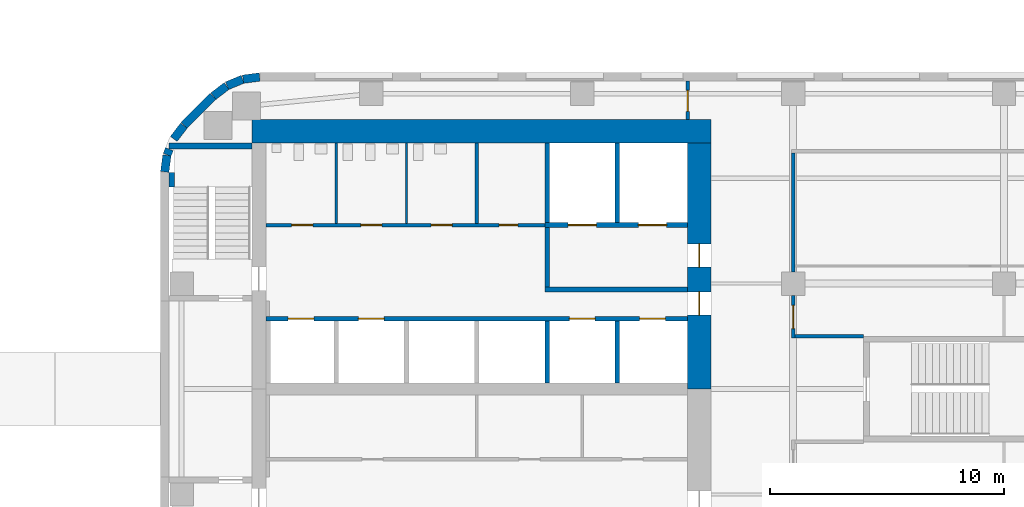
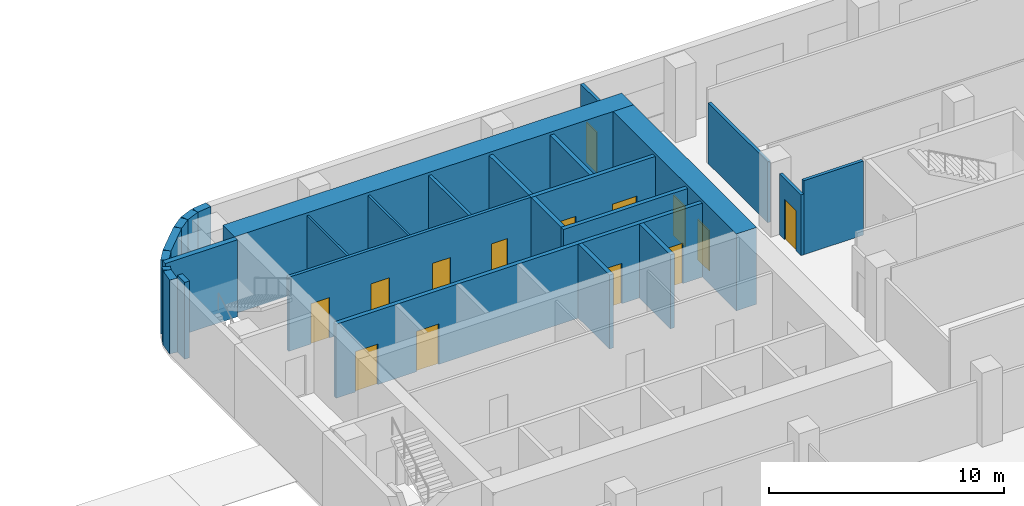
# One storey, part 10 of 15: 27 walls, 14 doors, 14 openings.
"""IFC4 building model written with IfcOpenShell, lengths in metres."""

from ifc_helpers import new_model, si_unit, direction, frame, frame_2d, origin, place, context, subcontext, project, spatial, rectangle, extrude, material, layer, layer_set, type_object, element, fill, save


model = new_model("IFC4")

# Units and contexts
model_context = context("Model", 3, precision=1e-05, world=origin(), true_north=direction((0.0, 1.0)))
body_context = subcontext(model_context, "Body", "Model", "MODEL_VIEW")
ifc_project = project(units=[si_unit("LENGTHUNIT", "METRE"), si_unit("AREAUNIT", "SQUARE_METRE"), si_unit("VOLUMEUNIT", "CUBIC_METRE"), si_unit("PLANEANGLEUNIT", "RADIAN"), si_unit("MASSUNIT", "GRAM", prefix="KILO")], contexts=[model_context])

# Site, building, storey
site_placement = place(None, origin())
site = spatial("IfcSite", under=ifc_project, at=site_placement, CompositionType="ELEMENT")
building_placement = place(site_placement, origin())
building = spatial("IfcBuilding", under=site, at=building_placement, Name="Cinnabar Reach Civic Tower", CompositionType="ELEMENT")
storey_placement = place(building_placement, frame((0.0, 0.0, 75.0)))
storey = spatial("IfcBuildingStorey", under=building, at=storey_placement, Name="L17", CompositionType="ELEMENT", Elevation=75.0)

# Walls
ifc_material_1 = material(Name="Facing brick with insulated backing", Category="masonry")
ifc_layer_1 = layer(ifc_material_1, 0.36)
ifc_layer_set_1 = layer_set([ifc_layer_1], Name="Brick corner wall")
wall_type_1 = type_object("IfcWallType", Name="Brick corner wall", PredefinedType="STANDARD", material=ifc_layer_set_1)
for number, where, z_axis, x_axis, name in (
    (1, (4.2314, 44.817, 0.0), (0.0, 0.0, 1.0), (-0.99144092581, -0.13055608231, 0.0), "Brick corner wall"),
    (2, (3.5027, 44.7181, 0.0), (0.0, 0.0, 1.0), (-0.923871547278, -0.382702709855, 0.0), "Brick corner wall"),
):
    element("IfcWall", number, at=place(storey_placement, frame(where, z_axis=z_axis, x_axis=x_axis)), inside=storey, type_object=wall_type_1, Name=name, PredefinedType="STANDARD", context=body_context, shape_type="SweptSolid", body=[
        extrude(rectangle(XDim=0.7131, YDim=0.36, at=frame_2d((0.3565, 0.0))), origin(), (0.0, 0.0, 1.0), 3.85),
    ])
for number, where, z_axis, x_axis, name in (
    (3, (2.8245, 44.434, 0.0), (0.0, 0.0, 1.0), (-0.793321924995, -0.608802368033, 0.0), "Brick corner wall"),
    (4, (1.0002, 42.7413, 0.0), (0.0, 0.0, 1.0), (-0.608802368033, -0.793321924995, 0.0), "Brick corner wall"),
):
    element("IfcWall", number, at=place(storey_placement, frame(where, z_axis=z_axis, x_axis=x_axis)), inside=storey, type_object=wall_type_1, Name=name, PredefinedType="STANDARD", context=body_context, shape_type="SweptSolid", body=[
        extrude(rectangle(XDim=0.7132, YDim=0.36, at=frame_2d((0.3566, 0.0))), origin(), (0.0, 0.0, 1.0), 3.85),
    ])
wall_1_placement = place(storey_placement, frame((0.3808, 41.736, 0.0), z_axis=(0.0, 0.0, 1.0), x_axis=(-0.382773360986, -0.923842277729, 0.0)))
element("IfcWall", 5, at=wall_1_placement, inside=storey, type_object=wall_type_1, Name="Brick corner wall", PredefinedType="STANDARD", context=body_context, shape_type="SweptSolid", body=[
    extrude(rectangle(XDim=0.2584, YDim=0.36, at=frame_2d((0.1292, 0.0))), origin(), (0.0, 0.0, 1.0), 3.85),
])
wall_2_placement = place(storey_placement, frame((0.2761, 41.4756, 0.0), z_axis=(0.0, 0.0, 1.0), x_axis=(-0.13055608231, -0.99144092581, 0.0)))
element("IfcWall", 6, at=wall_2_placement, inside=storey, type_object=wall_type_1, Name="Brick corner wall", PredefinedType="STANDARD", context=body_context, shape_type="SweptSolid", body=[
    extrude(rectangle(XDim=0.7131, YDim=0.36, at=frame_2d((0.3565, 0.0))), origin(), (0.0, 0.0, 1.0), 3.85),
])
ifc_layer_2 = layer(ifc_material_1, 0.36)
ifc_layer_set_2 = layer_set([ifc_layer_2], Name="Brick pier and spandrel wall")
wall_type_2 = type_object("IfcWallType", Name="Brick pier and spandrel wall", PredefinedType="STANDARD", material=ifc_layer_set_2)
wall_3_placement = place(storey_placement, frame((2.2486, 43.994, 0.0), z_axis=(0.0, 0.0, 1.0), x_axis=(-0.707106781187, -0.707106781187, 0.0)))
element("IfcWall", 7, at=wall_3_placement, inside=storey, type_object=wall_type_2, Name="Brick facade wall", PredefinedType="STANDARD", context=body_context, shape_type="SweptSolid", body=[
    extrude(rectangle(XDim=1.7573, YDim=0.36, at=frame_2d((0.8787, 0.0))), origin(), (0.0, 0.0, 1.0), 3.85),
])
ifc_material_2 = material(Name="Concrete C70", Category="concrete")
ifc_layer_3 = layer(ifc_material_2, 1.0)
ifc_layer_set_3 = layer_set([ifc_layer_3], Name="Core wall 1000 EI 180")
wall_type_3 = type_object("IfcWallType", Name="Core wall 1000 EI 180", PredefinedType="SOLIDWALL", material=ifc_layer_set_3)
wall_4_placement = place(storey_placement, frame((23.5, 42.5, 0.0), z_axis=(0.0, 0.0, 1.0), x_axis=(-1.0, 0.0, 0.0)))
element("IfcWall", 8, at=wall_4_placement, inside=storey, type_object=wall_type_3, Name="Core wall T1 L17 N", PredefinedType="SOLIDWALL", context=body_context, shape_type="SweptSolid", body=[
    extrude(rectangle(XDim=19.6, YDim=1.0, at=frame_2d((9.8, 0.0))), origin(), (0.0, 0.0, 1.0), 4.0),
])

# Wall, openings, doors
wall_5_placement = place(storey_placement, frame((23.0, 31.5, 0.0), z_axis=(0.0, 0.0, 1.0), x_axis=(0.0, 1.0, 0.0)))
wall_5 = element("IfcWall", 9, at=wall_5_placement, inside=storey, type_object=wall_type_3, Name="Core wall T1 L17 E2", PredefinedType="SOLIDWALL", context=body_context, shape_type="SweptSolid", body=[
    extrude(rectangle(XDim=10.5, YDim=1.0, at=frame_2d((5.25, 0.0))), origin(), (0.0, 0.0, 1.0), 4.0),
])
opening_1_placement = place(wall_5_placement, frame((3.15, 0.0, 0.0)))
opening_1 = element("IfcOpeningElement", 10, at=opening_1_placement, cuts=wall_5, Name="Opening D3692", PredefinedType="OPENING", context=body_context, shape_type="SweptSolid", body=[
    extrude(rectangle(XDim=1.0, YDim=2.1, at=frame_2d((0.5, 1.05))), frame((0.0, 0.51, 0.0), z_axis=(0.0, -1.0, 0.0), x_axis=(1.0, 0.0, 0.0)), (0.0, 0.0, 1.0), 1.02),
])
opening_2_placement = place(wall_5_placement, frame((5.2, 0.0, 0.0)))
opening_2 = element("IfcOpeningElement", 11, at=opening_2_placement, cuts=wall_5, Name="Opening D3693", PredefinedType="OPENING", context=body_context, shape_type="SweptSolid", body=[
    extrude(rectangle(XDim=1.0, YDim=2.1, at=frame_2d((0.5, 1.05))), frame((0.0, 0.51, 0.0), z_axis=(0.0, -1.0, 0.0), x_axis=(1.0, 0.0, 0.0)), (0.0, 0.0, 1.0), 1.02),
])
ifc_material_3 = material(Name="Timber door leaf in steel frame", Category="steel")
door_type_1 = type_object("IfcDoorType", Name="Firefighting lobby door 1000 x 2100 T1", OperationType="SINGLE_SWING_LEFT", PredefinedType="DOOR", material=ifc_material_3)
door_1_placement = place(opening_2_placement, origin())
door_1 = element("IfcDoor", 12, at=door_1_placement, inside=storey, type_object=door_type_1, Name="Door D3693", OperationType="SINGLE_SWING_LEFT", OverallHeight=2.1, OverallWidth=1.0, PredefinedType="DOOR", context=body_context, shape_type="SweptSolid", body=[
    extrude(rectangle(XDim=1.0, YDim=2.1, at=frame_2d((0.5, 1.05))), frame((0.0, 0.025, 0.0), z_axis=(0.0, -1.0, 0.0), x_axis=(1.0, 0.0, 0.0)), (0.0, 0.0, 1.0), 0.05),
])
fill(opening_2, door_1)
door_type_2 = type_object("IfcDoorType", Name="Single swing door 1000 x 2100 T1", OperationType="SINGLE_SWING_LEFT", PredefinedType="DOOR", material=ifc_material_3)
door_2_placement = place(opening_1_placement, origin())
door_2 = element("IfcDoor", 13, at=door_2_placement, inside=storey, type_object=door_type_2, Name="Door D3692", OperationType="SINGLE_SWING_RIGHT", OverallHeight=2.1, OverallWidth=1.0, PredefinedType="DOOR", context=body_context, shape_type="SweptSolid", body=[
    extrude(rectangle(XDim=1.0, YDim=2.1, at=frame_2d((0.5, 1.05))), frame((0.0, 0.025, 0.0), z_axis=(0.0, -1.0, 0.0), x_axis=(1.0, 0.0, 0.0)), (0.0, 0.0, 1.0), 0.05),
])
fill(opening_1, door_2)

ifc_material_4 = material(Name="Gypsum board on steel studs, double layer", Category="steel")
ifc_layer_4 = layer(ifc_material_4, 0.15)
ifc_layer_set_4 = layer_set([ifc_layer_4], Name="Corridor wall 150 T1")
wall_type_4 = type_object("IfcWallType", Name="Corridor wall 150 T1", PredefinedType="PARTITIONING", material=ifc_layer_set_4)
wall_6_placement = place(storey_placement, frame((4.5, 38.5, 0.0), z_axis=(0.0, 0.0, 1.0), x_axis=(1.0, 0.0, 0.0)))
wall_6 = element("IfcWall", 14, at=wall_6_placement, inside=storey, type_object=wall_type_4, Name="Corridor wall 29", PredefinedType="PARTITIONING", context=body_context, shape_type="SweptSolid", body=[
    extrude(rectangle(XDim=11.9, YDim=0.15, at=frame_2d((5.95, 0.0))), origin(), (0.0, 0.0, 1.0), 3.85),
])
opening_3_placement = place(wall_6_placement, frame((1.1, 0.0, 0.0)))
opening_3 = element("IfcOpeningElement", 15, at=opening_3_placement, cuts=wall_6, Name="Opening D3698", PredefinedType="OPENING", context=body_context, shape_type="SweptSolid", body=[
    extrude(rectangle(XDim=0.9, YDim=2.1, at=frame_2d((0.45, 1.05))), frame((0.0, 0.085, 0.0), z_axis=(0.0, -1.0, 0.0), x_axis=(1.0, 0.0, 0.0)), (0.0, 0.0, 1.0), 0.17),
])
opening_4_placement = place(wall_6_placement, frame((4.05, 0.0, 0.0)))
opening_4 = element("IfcOpeningElement", 16, at=opening_4_placement, cuts=wall_6, Name="Opening D3699", PredefinedType="OPENING", context=body_context, shape_type="SweptSolid", body=[
    extrude(rectangle(XDim=0.9, YDim=2.1, at=frame_2d((0.45, 1.05))), frame((0.0, 0.085, 0.0), z_axis=(0.0, -1.0, 0.0), x_axis=(1.0, 0.0, 0.0)), (0.0, 0.0, 1.0), 0.17),
])
opening_5_placement = place(wall_6_placement, frame((7.05, 0.0, 0.0)))
opening_5 = element("IfcOpeningElement", 17, at=opening_5_placement, cuts=wall_6, Name="Opening D3700", PredefinedType="OPENING", context=body_context, shape_type="SweptSolid", body=[
    extrude(rectangle(XDim=0.9, YDim=2.1, at=frame_2d((0.45, 1.05))), frame((0.0, 0.085, 0.0), z_axis=(0.0, -1.0, 0.0), x_axis=(1.0, 0.0, 0.0)), (0.0, 0.0, 1.0), 0.17),
])
opening_6_placement = place(wall_6_placement, frame((9.95, 0.0, 0.0)))
opening_6 = element("IfcOpeningElement", 18, at=opening_6_placement, cuts=wall_6, Name="Opening D3701", PredefinedType="OPENING", context=body_context, shape_type="SweptSolid", body=[
    extrude(rectangle(XDim=0.8, YDim=2.1, at=frame_2d((0.4, 1.05))), frame((0.0, 0.085, 0.0), z_axis=(0.0, -1.0, 0.0), x_axis=(1.0, 0.0, 0.0)), (0.0, 0.0, 1.0), 0.17),
])
door_type_3 = type_object("IfcDoorType", Name="Riser access door 800 x 2100 T1", OperationType="SINGLE_SWING_LEFT", PredefinedType="DOOR", material=ifc_material_3)
door_3_placement = place(opening_6_placement, origin())
door_3 = element("IfcDoor", 19, at=door_3_placement, inside=storey, type_object=door_type_3, Name="Door D3701", OperationType="SINGLE_SWING_LEFT", OverallHeight=2.1, OverallWidth=0.8, PredefinedType="DOOR", context=body_context, shape_type="SweptSolid", body=[
    extrude(rectangle(XDim=0.8, YDim=2.1, at=frame_2d((0.4, 1.05))), frame((0.0, 0.025, 0.0), z_axis=(0.0, -1.0, 0.0), x_axis=(1.0, 0.0, 0.0)), (0.0, 0.0, 1.0), 0.05),
])
fill(opening_6, door_3)
door_type_4 = type_object("IfcDoorType", Name="Single swing door 900 x 2100 corridor T1", OperationType="SINGLE_SWING_LEFT", PredefinedType="DOOR", material=ifc_material_3)
door_4_placement = place(opening_3_placement, origin())
door_4 = element("IfcDoor", 20, at=door_4_placement, inside=storey, type_object=door_type_4, Name="Door D3698", OperationType="SINGLE_SWING_LEFT", OverallHeight=2.1, OverallWidth=0.9, PredefinedType="DOOR", context=body_context, shape_type="SweptSolid", body=[
    extrude(rectangle(XDim=0.9, YDim=2.1, at=frame_2d((0.45, 1.05))), frame((0.0, 0.025, 0.0), z_axis=(0.0, -1.0, 0.0), x_axis=(1.0, 0.0, 0.0)), (0.0, 0.0, 1.0), 0.05),
])
fill(opening_3, door_4)
door_5_placement = place(opening_4_placement, origin())
door_5 = element("IfcDoor", 21, at=door_5_placement, inside=storey, type_object=door_type_4, Name="Door D3699", OperationType="SINGLE_SWING_RIGHT", OverallHeight=2.1, OverallWidth=0.9, PredefinedType="DOOR", context=body_context, shape_type="SweptSolid", body=[
    extrude(rectangle(XDim=0.9, YDim=2.1, at=frame_2d((0.45, 1.05))), frame((0.0, 0.025, 0.0), z_axis=(0.0, -1.0, 0.0), x_axis=(1.0, 0.0, 0.0)), (0.0, 0.0, 1.0), 0.05),
])
fill(opening_4, door_5)
door_6_placement = place(opening_5_placement, origin())
door_6 = element("IfcDoor", 22, at=door_6_placement, inside=storey, type_object=door_type_4, Name="Door D3700", OperationType="SINGLE_SWING_RIGHT", OverallHeight=2.1, OverallWidth=0.9, PredefinedType="DOOR", context=body_context, shape_type="SweptSolid", body=[
    extrude(rectangle(XDim=0.9, YDim=2.1, at=frame_2d((0.45, 1.05))), frame((0.0, 0.025, 0.0), z_axis=(0.0, -1.0, 0.0), x_axis=(1.0, 0.0, 0.0)), (0.0, 0.0, 1.0), 0.05),
])
fill(opening_5, door_6)

# Wall, opening, door
wall_7_placement = place(storey_placement, frame((27.0, 33.675, 0.0), z_axis=(0.0, 0.0, 1.0), x_axis=(0.0, 1.0, 0.0)))
wall_7 = element("IfcWall", 23, at=wall_7_placement, inside=storey, type_object=wall_type_4, Name="Corridor wall 32", PredefinedType="PARTITIONING", context=body_context, shape_type="SweptSolid", body=[
    extrude(rectangle(XDim=1.825, YDim=0.15, at=frame_2d((0.9125, 0.0))), origin(), (0.0, 0.0, 1.0), 3.158),
])
opening_7_placement = place(wall_7_placement, frame((0.4, 0.0, 0.0)))
opening_7 = element("IfcOpeningElement", 24, at=opening_7_placement, cuts=wall_7, Name="Opening D3702", PredefinedType="OPENING", context=body_context, shape_type="SweptSolid", body=[
    extrude(rectangle(XDim=1.0, YDim=2.1, at=frame_2d((0.5, 1.05))), frame((0.0, 0.085, 0.0), z_axis=(0.0, -1.0, 0.0), x_axis=(1.0, 0.0, 0.0)), (0.0, 0.0, 1.0), 0.17),
])
door_type_5 = type_object("IfcDoorType", Name="Tenancy entrance door 1000 x 2100 T1", OperationType="SINGLE_SWING_LEFT", PredefinedType="DOOR", material=ifc_material_3)
door_7_placement = place(opening_7_placement, frame((1.0, 0.0, 0.0), z_axis=(0.0, 0.0, 1.0), x_axis=(-1.0, 0.0, 0.0)))
door_7 = element("IfcDoor", 25, at=door_7_placement, inside=storey, type_object=door_type_5, Name="Door D3702", OperationType="SINGLE_SWING_RIGHT", OverallHeight=2.1, OverallWidth=1.0, PredefinedType="DOOR", context=body_context, shape_type="SweptSolid", body=[
    extrude(rectangle(XDim=1.0, YDim=2.1, at=frame_2d((0.5, 1.05))), frame((0.0, 0.025, 0.0), z_axis=(0.0, -1.0, 0.0), x_axis=(1.0, 0.0, 0.0)), (0.0, 0.0, 1.0), 0.05),
])
fill(opening_7, door_7)

# Walls
wall_8_placement = place(storey_placement, frame((27.0, 36.5, 0.0), z_axis=(0.0, 0.0, 1.0), x_axis=(0.0, 1.0, 0.0)))
element("IfcWall", 26, at=wall_8_placement, inside=storey, type_object=wall_type_4, Name="Corridor wall 33", PredefinedType="PARTITIONING", context=body_context, shape_type="SweptSolid", body=[
    extrude(rectangle(XDim=5.075, YDim=0.15, at=frame_2d((2.5375, 0.0))), origin(), (0.0, 0.0, 1.0), 3.158),
])
wall_9_placement = place(storey_placement, frame((27.075, 33.75, 0.0), z_axis=(0.0, 0.0, 1.0), x_axis=(1.0, 0.0, 0.0)))
element("IfcWall", 27, at=wall_9_placement, inside=storey, type_object=wall_type_4, Name="Corridor wall 37", PredefinedType="PARTITIONING", context=body_context, shape_type="SweptSolid", body=[
    extrude(rectangle(XDim=2.925, YDim=0.15, at=frame_2d((1.4625, 0.0))), origin(), (0.0, 0.0, 1.0), 3.85),
])

# Wall, opening, door
wall_10_placement = place(storey_placement, frame((22.5, 43.0, 0.0), z_axis=(0.0, 0.0, 1.0), x_axis=(0.0, 1.0, 0.0)))
wall_10 = element("IfcWall", 28, at=wall_10_placement, inside=storey, type_object=wall_type_4, Name="Corridor wall 38", PredefinedType="PARTITIONING", context=body_context, shape_type="SweptSolid", body=[
    extrude(rectangle(XDim=1.64, YDim=0.15, at=frame_2d((0.82, 0.0))), origin(), (0.0, 0.0, 1.0), 3.85),
])
opening_8_placement = place(wall_10_placement, frame((0.35, 0.0, 0.0)))
opening_8 = element("IfcOpeningElement", 29, at=opening_8_placement, cuts=wall_10, Name="Opening D5781", PredefinedType="OPENING", context=body_context, shape_type="SweptSolid", body=[
    extrude(rectangle(XDim=0.9, YDim=2.1, at=frame_2d((0.45, 1.05))), frame((0.0, 0.085, 0.0), z_axis=(0.0, -1.0, 0.0), x_axis=(1.0, 0.0, 0.0)), (0.0, 0.0, 1.0), 0.17),
])
door_8_placement = place(opening_8_placement, origin())
door_8 = element("IfcDoor", 30, at=door_8_placement, inside=storey, type_object=door_type_4, Name="Door D5781", OperationType="SINGLE_SWING_LEFT", OverallHeight=2.1, OverallWidth=0.9, PredefinedType="DOOR", context=body_context, shape_type="SweptSolid", body=[
    extrude(rectangle(XDim=0.9, YDim=2.1, at=frame_2d((0.45, 1.05))), frame((0.0, 0.025, 0.0), z_axis=(0.0, -1.0, 0.0), x_axis=(1.0, 0.0, 0.0)), (0.0, 0.0, 1.0), 0.05),
])
fill(opening_8, door_8)

# Wall, openings, doors
ifc_material_5 = material(Name="Blockwork", Category="masonry")
ifc_layer_5 = layer(ifc_material_5, 0.2)
ifc_layer_set_5 = layer_set([ifc_layer_5], Name="Lift shaft wall 200 T1")
wall_type_5 = type_object("IfcWallType", Name="Lift shaft wall 200 T1", PredefinedType="PARTITIONING", material=ifc_layer_set_5)
wall_11_placement = place(storey_placement, frame((4.5, 34.5, 0.0), z_axis=(0.0, 0.0, 1.0), x_axis=(1.0, 0.0, 0.0)))
wall_11 = element("IfcWall", 31, at=wall_11_placement, inside=storey, type_object=wall_type_5, Name="Lift shaft wall 5", PredefinedType="PARTITIONING", context=body_context, shape_type="SweptSolid", body=[
    extrude(rectangle(XDim=18.0, YDim=0.2, at=frame_2d((9.0, 0.0))), origin(), (0.0, 0.0, 1.0), 3.85),
])
opening_9_placement = place(wall_11_placement, frame((0.95, 0.0, 0.0)))
opening_9 = element("IfcOpeningElement", 32, at=opening_9_placement, cuts=wall_11, Name="Opening D3685", PredefinedType="OPENING", context=body_context, shape_type="SweptSolid", body=[
    extrude(rectangle(XDim=1.1, YDim=2.1, at=frame_2d((0.55, 1.05))), frame((0.0, 0.11, 0.0), z_axis=(0.0, -1.0, 0.0), x_axis=(1.0, 0.0, 0.0)), (0.0, 0.0, 1.0), 0.22),
])
opening_10_placement = place(wall_11_placement, frame((3.95, 0.0, 0.0)))
opening_10 = element("IfcOpeningElement", 33, at=opening_10_placement, cuts=wall_11, Name="Opening D3686", PredefinedType="OPENING", context=body_context, shape_type="SweptSolid", body=[
    extrude(rectangle(XDim=1.1, YDim=2.1, at=frame_2d((0.55, 1.05))), frame((0.0, 0.11, 0.0), z_axis=(0.0, -1.0, 0.0), x_axis=(1.0, 0.0, 0.0)), (0.0, 0.0, 1.0), 0.22),
])
opening_11_placement = place(wall_11_placement, frame((12.95, 0.0, 0.0)))
opening_11 = element("IfcOpeningElement", 34, at=opening_11_placement, cuts=wall_11, Name="Opening D3687", PredefinedType="OPENING", context=body_context, shape_type="SweptSolid", body=[
    extrude(rectangle(XDim=1.1, YDim=2.1, at=frame_2d((0.55, 1.05))), frame((0.0, 0.11, 0.0), z_axis=(0.0, -1.0, 0.0), x_axis=(1.0, 0.0, 0.0)), (0.0, 0.0, 1.0), 0.22),
])
opening_12_placement = place(wall_11_placement, frame((15.95, 0.0, 0.0)))
opening_12 = element("IfcOpeningElement", 35, at=opening_12_placement, cuts=wall_11, Name="Opening D3688", PredefinedType="OPENING", context=body_context, shape_type="SweptSolid", body=[
    extrude(rectangle(XDim=1.1, YDim=2.1, at=frame_2d((0.55, 1.05))), frame((0.0, 0.11, 0.0), z_axis=(0.0, -1.0, 0.0), x_axis=(1.0, 0.0, 0.0)), (0.0, 0.0, 1.0), 0.22),
])
ifc_material_6 = material(Name="Stainless steel sliding door", Category="steel")
door_type_6 = type_object("IfcDoorType", Name="Lift landing door 1100 x 2100 T1", OperationType="SLIDING_TO_LEFT", PredefinedType="DOOR", material=ifc_material_6)
door_9_placement = place(opening_9_placement, origin())
door_9 = element("IfcDoor", 36, at=door_9_placement, inside=storey, type_object=door_type_6, Name="Lift landing door SH1 L17", OperationType="SLIDING_TO_LEFT", OverallHeight=2.1, OverallWidth=1.1, PredefinedType="DOOR", context=body_context, shape_type="SweptSolid", body=[
    extrude(rectangle(XDim=1.1, YDim=2.1, at=frame_2d((0.55, 1.05))), frame((0.0, 0.025, 0.0), z_axis=(0.0, -1.0, 0.0), x_axis=(1.0, 0.0, 0.0)), (0.0, 0.0, 1.0), 0.05),
])
fill(opening_9, door_9)
door_10_placement = place(opening_10_placement, origin())
door_10 = element("IfcDoor", 37, at=door_10_placement, inside=storey, type_object=door_type_6, Name="Lift landing door SH2 L17", OperationType="SLIDING_TO_LEFT", OverallHeight=2.1, OverallWidth=1.1, PredefinedType="DOOR", context=body_context, shape_type="SweptSolid", body=[
    extrude(rectangle(XDim=1.1, YDim=2.1, at=frame_2d((0.55, 1.05))), frame((0.0, 0.025, 0.0), z_axis=(0.0, -1.0, 0.0), x_axis=(1.0, 0.0, 0.0)), (0.0, 0.0, 1.0), 0.05),
])
fill(opening_10, door_10)
door_11_placement = place(opening_11_placement, origin())
door_11 = element("IfcDoor", 38, at=door_11_placement, inside=storey, type_object=door_type_6, Name="Lift landing door SV1 L17", OperationType="SLIDING_TO_LEFT", OverallHeight=2.1, OverallWidth=1.1, PredefinedType="DOOR", context=body_context, shape_type="SweptSolid", body=[
    extrude(rectangle(XDim=1.1, YDim=2.1, at=frame_2d((0.55, 1.05))), frame((0.0, 0.025, 0.0), z_axis=(0.0, -1.0, 0.0), x_axis=(1.0, 0.0, 0.0)), (0.0, 0.0, 1.0), 0.05),
])
fill(opening_11, door_11)
door_12_placement = place(opening_12_placement, origin())
door_12 = element("IfcDoor", 39, at=door_12_placement, inside=storey, type_object=door_type_6, Name="Lift landing door SV2 L17", OperationType="SLIDING_TO_LEFT", OverallHeight=2.1, OverallWidth=1.1, PredefinedType="DOOR", context=body_context, shape_type="SweptSolid", body=[
    extrude(rectangle(XDim=1.1, YDim=2.1, at=frame_2d((0.55, 1.05))), frame((0.0, 0.025, 0.0), z_axis=(0.0, -1.0, 0.0), x_axis=(1.0, 0.0, 0.0)), (0.0, 0.0, 1.0), 0.05),
])
fill(opening_12, door_12)

# Walls
for number, where, z_axis, x_axis, name in (
    (40, (16.5, 38.6, 0.0), (0.0, 0.0, 1.0), (0.0, 1.0, 0.0), "Lift shaft wall 6"),
    (41, (19.5, 38.6, 0.0), (0.0, 0.0, 1.0), (0.0, 1.0, 0.0), "Lift shaft wall 7"),
):
    element("IfcWall", number, at=place(storey_placement, frame(where, z_axis=z_axis, x_axis=x_axis)), inside=storey, type_object=wall_type_5, Name=name, PredefinedType="PARTITIONING", context=body_context, shape_type="SweptSolid", body=[
        extrude(rectangle(XDim=3.4, YDim=0.2, at=frame_2d((1.7, 0.0))), origin(), (0.0, 0.0, 1.0), 3.85),
    ])
for number, where, z_axis, x_axis, name in (
    (42, (16.5, 31.75, 0.0), (0.0, 0.0, 1.0), (0.0, 1.0, 0.0), "Lift shaft wall 16"),
    (43, (19.5, 31.75, 0.0), (0.0, 0.0, 1.0), (0.0, 1.0, 0.0), "Lift shaft wall 18"),
):
    element("IfcWall", number, at=place(storey_placement, frame(where, z_axis=z_axis, x_axis=x_axis)), inside=storey, type_object=wall_type_5, Name=name, PredefinedType="PARTITIONING", context=body_context, shape_type="SweptSolid", body=[
        extrude(rectangle(XDim=2.65, YDim=0.2, at=frame_2d((1.325, 0.0))), origin(), (0.0, 0.0, 1.0), 3.85),
    ])
ifc_material_7 = material(Name="Gypsum board on steel studs", Category="steel")
ifc_layer_6 = layer(ifc_material_7, 0.1)
ifc_layer_set_6 = layer_set([ifc_layer_6], Name="Partition wall 100 T1")
wall_type_6 = type_object("IfcWallType", Name="Partition wall 100 T1", PredefinedType="PARTITIONING", material=ifc_layer_set_6)
for number, where, z_axis, x_axis, name in (
    (44, (7.5, 38.575, 0.0), (0.0, 0.0, 1.0), (0.0, 1.0, 0.0), "Partition wall 49"),
    (45, (10.5, 38.575, 0.0), (0.0, 0.0, 1.0), (0.0, 1.0, 0.0), "Partition wall 50"),
):
    element("IfcWall", number, at=place(storey_placement, frame(where, z_axis=z_axis, x_axis=x_axis)), inside=storey, type_object=wall_type_6, Name=name, PredefinedType="PARTITIONING", context=body_context, shape_type="SweptSolid", body=[
        extrude(rectangle(XDim=3.425, YDim=0.1, at=frame_2d((1.7125, 0.0))), origin(), (0.0, 0.0, 1.0), 3.85),
    ])
ifc_material_8 = material(Name="Concrete C40", Category="concrete")
ifc_layer_7 = layer(ifc_material_8, 0.2)
ifc_layer_set_7 = layer_set([ifc_layer_7], Name="Refuge compartment wall 200 T1")
wall_type_7 = type_object("IfcWallType", Name="Refuge compartment wall 200 T1", PredefinedType="PARTITIONING", material=ifc_layer_set_7)
wall_12_placement = place(storey_placement, frame((16.4, 35.75, 0.0), z_axis=(0.0, 0.0, 1.0), x_axis=(1.0, 0.0, 0.0)))
element("IfcWall", 46, at=wall_12_placement, inside=storey, type_object=wall_type_7, Name="Refuge compartment wall 1", PredefinedType="PARTITIONING", context=body_context, shape_type="SweptSolid", body=[
    extrude(rectangle(XDim=6.1, YDim=0.2, at=frame_2d((3.05, 0.0))), origin(), (0.0, 0.0, 1.0), 3.85),
])

# Wall, openings, doors
wall_13_placement = place(storey_placement, frame((16.4, 38.5, 0.0), z_axis=(0.0, 0.0, 1.0), x_axis=(1.0, 0.0, 0.0)))
wall_13 = element("IfcWall", 47, at=wall_13_placement, inside=storey, type_object=wall_type_7, Name="Refuge compartment wall 2", PredefinedType="PARTITIONING", context=body_context, shape_type="SweptSolid", body=[
    extrude(rectangle(XDim=6.1, YDim=0.2, at=frame_2d((3.05, 0.0))), origin(), (0.0, 0.0, 1.0), 3.85),
])
opening_13_placement = place(wall_13_placement, frame((1.0, 0.0, 0.0)))
opening_13 = element("IfcOpeningElement", 48, at=opening_13_placement, cuts=wall_13, Name="Opening D3689", PredefinedType="OPENING", context=body_context, shape_type="SweptSolid", body=[
    extrude(rectangle(XDim=1.2, YDim=2.1, at=frame_2d((0.6, 1.05))), frame((0.0, 0.11, 0.0), z_axis=(0.0, -1.0, 0.0), x_axis=(1.0, 0.0, 0.0)), (0.0, 0.0, 1.0), 0.22),
])
opening_14_placement = place(wall_13_placement, frame((4.0, 0.0, 0.0)))
opening_14 = element("IfcOpeningElement", 49, at=opening_14_placement, cuts=wall_13, Name="Opening D3690", PredefinedType="OPENING", context=body_context, shape_type="SweptSolid", body=[
    extrude(rectangle(XDim=1.2, YDim=2.1, at=frame_2d((0.6, 1.05))), frame((0.0, 0.11, 0.0), z_axis=(0.0, -1.0, 0.0), x_axis=(1.0, 0.0, 0.0)), (0.0, 0.0, 1.0), 0.22),
])
door_type_7 = type_object("IfcDoorType", Name="Firefighting lift landing door 1200 x 2100 T1", OperationType="SLIDING_TO_LEFT", PredefinedType="DOOR", material=ifc_material_6)
door_13_placement = place(opening_13_placement, origin())
door_13 = element("IfcDoor", 50, at=door_13_placement, inside=storey, type_object=door_type_7, Name="Lift landing door FF1 L17", OperationType="SLIDING_TO_LEFT", OverallHeight=2.1, OverallWidth=1.2, PredefinedType="DOOR", context=body_context, shape_type="SweptSolid", body=[
    extrude(rectangle(XDim=1.2, YDim=2.1, at=frame_2d((0.6, 1.05))), frame((0.0, 0.025, 0.0), z_axis=(0.0, -1.0, 0.0), x_axis=(1.0, 0.0, 0.0)), (0.0, 0.0, 1.0), 0.05),
])
fill(opening_13, door_13)
door_14_placement = place(opening_14_placement, origin())
door_14 = element("IfcDoor", 51, at=door_14_placement, inside=storey, type_object=door_type_7, Name="Lift landing door FF2 L17", OperationType="SLIDING_TO_LEFT", OverallHeight=2.1, OverallWidth=1.2, PredefinedType="DOOR", context=body_context, shape_type="SweptSolid", body=[
    extrude(rectangle(XDim=1.2, YDim=2.1, at=frame_2d((0.6, 1.05))), frame((0.0, 0.025, 0.0), z_axis=(0.0, -1.0, 0.0), x_axis=(1.0, 0.0, 0.0)), (0.0, 0.0, 1.0), 0.05),
])
fill(opening_14, door_14)

# Walls
wall_14_placement = place(storey_placement, frame((16.5, 35.85, 0.0), z_axis=(0.0, 0.0, 1.0), x_axis=(0.0, 1.0, 0.0)))
element("IfcWall", 52, at=wall_14_placement, inside=storey, type_object=wall_type_7, Name="Refuge compartment wall 3", PredefinedType="PARTITIONING", context=body_context, shape_type="SweptSolid", body=[
    extrude(rectangle(XDim=2.55, YDim=0.2, at=frame_2d((1.275, 0.0))), origin(), (0.0, 0.0, 1.0), 3.85),
])
ifc_layer_8 = layer(ifc_material_5, 0.15)
ifc_layer_set_8 = layer_set([ifc_layer_8], Name="Riser wall 150 T1")
wall_type_8 = type_object("IfcWallType", Name="Riser wall 150 T1", PredefinedType="PARTITIONING", material=ifc_layer_set_8)
wall_15_placement = place(storey_placement, frame((13.5, 38.575, 0.0), z_axis=(0.0, 0.0, 1.0), x_axis=(0.0, 1.0, 0.0)))
element("IfcWall", 53, at=wall_15_placement, inside=storey, type_object=wall_type_8, Name="Riser wall 40", PredefinedType="PARTITIONING", context=body_context, shape_type="SweptSolid", body=[
    extrude(rectangle(XDim=3.425, YDim=0.15, at=frame_2d((1.7125, 0.0))), origin(), (0.0, 0.0, 1.0), 3.85),
])
ifc_material_9 = material(Name="Concrete C60", Category="concrete")
ifc_layer_9 = layer(ifc_material_9, 0.25)
ifc_layer_set_9 = layer_set([ifc_layer_9], Name="Stair shaft wall 250 EI 120")
wall_type_9 = type_object("IfcWallType", Name="Stair shaft wall 250 EI 120", PredefinedType="SOLIDWALL", material=ifc_layer_set_9)
wall_16_placement = place(storey_placement, frame((3.9, 41.875, 0.0), z_axis=(0.0, 0.0, 1.0), x_axis=(-1.0, 0.0, 0.0)))
element("IfcWall", 54, at=wall_16_placement, inside=storey, type_object=wall_type_9, Name="Stair shaft wall T1-S2 L17", PredefinedType="SOLIDWALL", context=body_context, shape_type="SweptSolid", body=[
    extrude(rectangle(XDim=3.54, YDim=0.25, at=frame_2d((1.77, 0.0))), origin(), (0.0, 0.0, 1.0), 4.0),
])
ifc_material_10 = material(Name="Concrete C40/50", Category="concrete")
ifc_layer_10 = layer(ifc_material_10, 0.24)
ifc_layer_set_10 = layer_set([ifc_layer_10], Name="T1 landing bearer wall 240")
wall_type_10 = type_object("IfcWallType", Name="T1 landing bearer wall 240", PredefinedType="STANDARD", material=ifc_layer_set_10)
wall_17_placement = place(storey_placement, frame((0.48, 40.13, 0.0), z_axis=(0.0, 0.0, 1.0), x_axis=(0.0, 1.0, 0.0)))
element("IfcWall", 55, at=wall_17_placement, inside=storey, type_object=wall_type_10, Name="T1-S2 landing bearer wall", PredefinedType="STANDARD", context=body_context, shape_type="SweptSolid", body=[
    extrude(rectangle(XDim=0.6151, YDim=0.24, at=frame_2d((0.3075, 0.0))), origin(), (0.0, 0.0, 1.0), 4.0),
])

save(model, "model.ifc")
